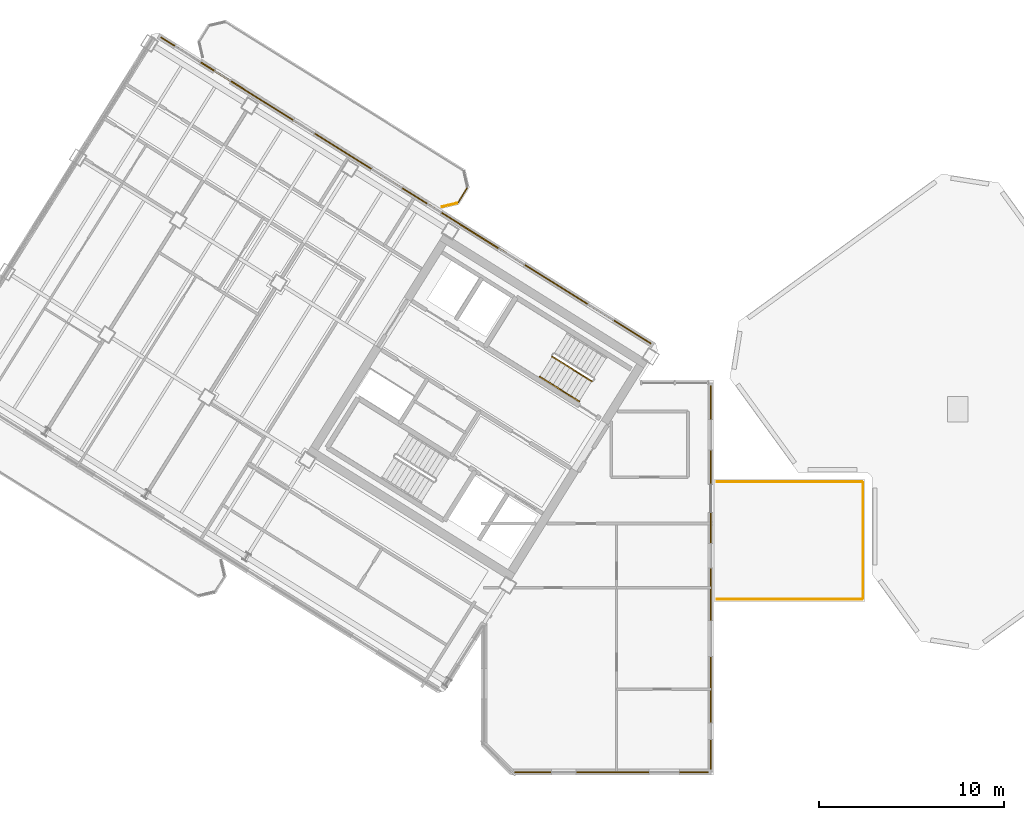
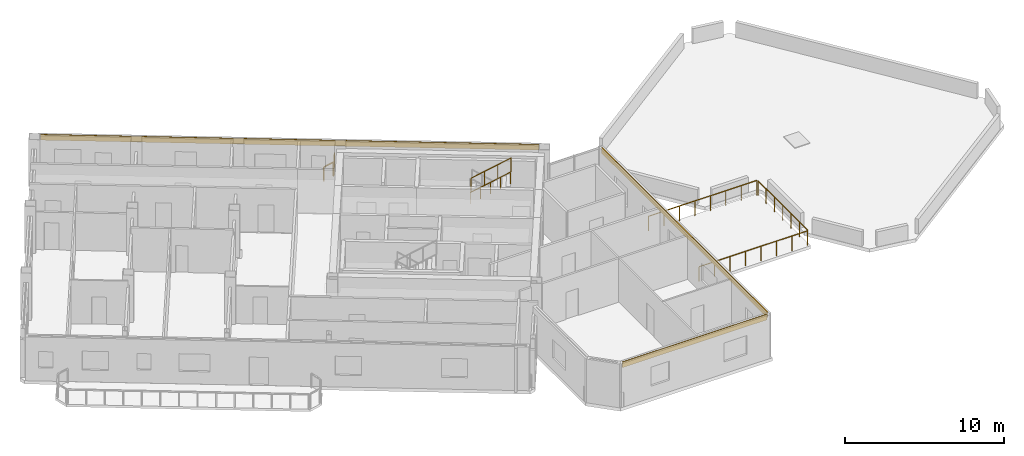
# One storey, part 13 of 14: 8 railings, 3 coverings.
"""IFC4 building model written with IfcOpenShell, lengths in metres."""

import ifcopenshell
import ifcopenshell.guid

model = None  # the IFC model being written
_history = None  # IfcOwnerHistory: only IFC2X3 demands one
_inside = {}  # id of a spatial element -> (the spatial element, [elements in it])
_under = {}  # id of a project, library or spatial element -> (it, [spatial elements below it])
_declared = {}  # id of a project -> (the project, [libraries it declares])
_typed = {}  # id of a type object -> (the type object, [elements of that type])
_made_of = {}  # id of a material, layer set ... -> (it, [elements and type objects made of it])


def new_model(schema):
    """Start an empty IFC model of exactly this schema.

    Asked for "IFC4X3", IfcOpenShell would pick the latest addendum, in which some entities
    have other attributes; the version numbers below select the first issue.
    IFC2X3 requires an IfcOwnerHistory on every rooted entity: one is made here for all.
    """
    global model, _history
    if schema == "IFC4X3":
        model = ifcopenshell.file(schema_version=(4, 3, 0, 0))
    else:
        model = ifcopenshell.file(schema=schema)
    _inside.clear()
    _under.clear()
    _declared.clear()
    _typed.clear()
    _made_of.clear()
    _history = None
    if model.schema == "IFC2X3":
        org = make("IfcOrganization", Name="unknown")
        user = make(
            "IfcPersonAndOrganization",
            ThePerson=make("IfcPerson", FamilyName="unknown"),
            TheOrganization=org,
        )
        app = make(
            "IfcApplication",
            ApplicationDeveloper=org,
            Version="unknown",
            ApplicationFullName="unknown",
            ApplicationIdentifier="unknown",
        )
        _history = make(
            "IfcOwnerHistory",
            OwningUser=user,
            OwningApplication=app,
            ChangeAction="ADDED",
            CreationDate=0,
        )
    return model


def make(cls, **values):
    """One entity of the class cls with the attributes given. An attribute that is None is left unset."""
    return model.create_entity(
        cls, **{name: value for name, value in values.items() if value is not None}
    )


def rooted(cls, **values):
    """An entity with a GlobalId (a new one), such as an element, a storey or a relation."""
    return make(cls, GlobalId=ifcopenshell.guid.new(), OwnerHistory=_history, **values)


def si_unit(unit_type, name, prefix=None):
    """IfcSIUnit, for example si_unit("LENGTHUNIT", "METRE", prefix="MILLI")."""
    return make("IfcSIUnit", UnitType=unit_type, Prefix=prefix, Name=name)


def assignment(units):
    """IfcUnitAssignment: the units of a project."""
    return None if units is None else make("IfcUnitAssignment", Units=units)


def point(xyz):
    """IfcCartesianPoint."""
    return None if xyz is None else make("IfcCartesianPoint", Coordinates=xyz)


def direction(xyz):
    """IfcDirection."""
    return None if xyz is None else make("IfcDirection", DirectionRatios=xyz)


def frame(location, z_axis=None, x_axis=None):
    """IfcAxis2Placement3D, a coordinate frame: its origin and axes. An axis left out is left unset."""
    return make(
        "IfcAxis2Placement3D",
        Location=point(location),
        Axis=direction(z_axis),
        RefDirection=direction(x_axis),
    )


def frame_2d(location, x_axis=None):
    """IfcAxis2Placement2D, a coordinate frame in the plane: its origin and x axis."""
    return make(
        "IfcAxis2Placement2D", Location=point(location), RefDirection=direction(x_axis)
    )


def origin():
    """The frame at (0, 0, 0) with its axes left unset."""
    return frame((0.0, 0.0, 0.0))


def origin_2d():
    """The frame at (0, 0) in the plane with its x axis left unset."""
    return frame_2d((0.0, 0.0))


def place(relative_to, where):
    """IfcLocalPlacement: puts the frame where relative to a parent placement (None: the world)."""
    return make(
        "IfcLocalPlacement", PlacementRelTo=relative_to, RelativePlacement=where
    )


def context(
    kind, dimensions, precision=None, world=None, true_north=None, identifier=None
):
    """IfcGeometricRepresentationContext, for example the 3D "Model" context."""
    return make(
        "IfcGeometricRepresentationContext",
        ContextIdentifier=identifier,
        ContextType=kind,
        CoordinateSpaceDimension=dimensions,
        Precision=precision,
        WorldCoordinateSystem=world,
        TrueNorth=true_north,
    )


def subcontext(parent, identifier, kind, view, scale=None):
    """IfcGeometricRepresentationSubContext, for example "Body" below "Model"."""
    return make(
        "IfcGeometricRepresentationSubContext",
        ContextIdentifier=identifier,
        ContextType=kind,
        ParentContext=parent,
        TargetScale=scale,
        TargetView=view,
    )


def project(units=None, contexts=None):
    """IfcProject with its units and contexts."""
    return rooted(
        "IfcProject",
        Name="project",
        RepresentationContexts=contexts,
        UnitsInContext=assignment(units),
    )


def spatial(cls, under=None, at=None, **own):
    """A site, building, storey or space (cls), placed at a placement, below another one or the project."""
    s = rooted(cls, ObjectPlacement=at, **own)
    if under is not None:
        _under.setdefault(under.id(), (under, []))[1].append(s)
    return s


def profile(cls, at=None, kind="AREA", **sizes):
    """A parametric profile (cls). Its sizes go by their IFC names, for example OverallWidth=200.0."""
    return make(cls, ProfileType=kind, Position=at, **sizes)


def rectangle(**sizes):
    """IfcRectangleProfileDef."""
    return profile("IfcRectangleProfileDef", **sizes)


def extrude(swept, where, along, depth):
    """IfcExtrudedAreaSolid: the profile swept, set in the frame where, extruded along a direction by depth."""
    return make(
        "IfcExtrudedAreaSolid",
        SweptArea=swept,
        Position=where,
        ExtrudedDirection=direction(along),
        Depth=depth,
    )


def shape(context_of_items, identifier, shape_type, items):
    """IfcShapeRepresentation: the items that make up one representation, for example the "Body"."""
    return make(
        "IfcShapeRepresentation",
        ContextOfItems=context_of_items,
        RepresentationIdentifier=identifier,
        RepresentationType=shape_type,
        Items=items,
    )


def source(mapping_origin, context_of_items, identifier, shape_type, items):
    """IfcRepresentationMap: a shape defined once, which mapped items show again and again."""
    return make(
        "IfcRepresentationMap",
        MappingOrigin=mapping_origin,
        MappedRepresentation=shape(context_of_items, identifier, shape_type, items),
    )


def transform(
    local_origin,
    x_axis=None,
    y_axis=None,
    z_axis=None,
    scale=None,
    scale2=None,
    scale3=None,
    uniform=True,
):
    """IfcCartesianTransformationOperator3D, or its non-uniform kind. x_axis, y_axis, z_axis: its Axis1, 2, 3."""
    if uniform:
        return make(
            "IfcCartesianTransformationOperator3D",
            Axis1=direction(x_axis),
            Axis2=direction(y_axis),
            LocalOrigin=point(local_origin),
            Scale=scale,
            Axis3=direction(z_axis),
        )
    return make(
        "IfcCartesianTransformationOperator3DnonUniform",
        Axis1=direction(x_axis),
        Axis2=direction(y_axis),
        LocalOrigin=point(local_origin),
        Scale=scale,
        Axis3=direction(z_axis),
        Scale2=scale2,
        Scale3=scale3,
    )


def mapped(mapping_source, mapping_target):
    """IfcMappedItem: shows the shape of a source again, moved by a transform."""
    return make(
        "IfcMappedItem", MappingSource=mapping_source, MappingTarget=mapping_target
    )


def material(Name=None, Category=None):
    """IfcMaterial."""
    return make("IfcMaterial", Name=Name, Category=Category)


def layer(
    of_material, thickness, ventilated=None, Name=None, Category=None, Priority=None
):
    """IfcMaterialLayer: one layer of a wall or slab, of a material (None: an air gap)."""
    return make(
        "IfcMaterialLayer",
        Material=of_material,
        LayerThickness=thickness,
        IsVentilated=ventilated,
        Name=Name,
        Category=Category,
        Priority=Priority,
    )


def layer_set(layers, Name=None):
    """IfcMaterialLayerSet."""
    return make("IfcMaterialLayerSet", MaterialLayers=layers, LayerSetName=Name)


def made_of(thing, what):
    """Note that an element or type object is made of a material, layer set ...; save() writes the relation."""
    if what is not None:
        _made_of.setdefault(what.id(), (what, []))[1].append(thing)
    return thing


def type_object(cls, material=None, **own):
    """A type object (cls), such as IfcWallType, which elements share."""
    return made_of(rooted(cls, **own), material)


def element(
    cls,
    number,
    at=None,
    inside=None,
    cuts=None,
    type_object=None,
    material=None,
    context=None,
    identifier="Body",
    shape_type=None,
    held_by="IfcProductDefinitionShape",
    body=None,
    shapes=None,
    **own,
):
    """One element of the class cls, such as IfcWall. Its Tag is "e" and its number.

    at: its placement. inside: the storey or other place that contains it. cuts: it is an
    opening in that element (IfcRelVoidsElement). A single representation is given by context,
    identifier, shape_type and body (its items); several are given by shapes. held_by: the class
    of the entity that holds the representations. save() writes the other relations.
    """
    e = rooted(cls, Tag="e%d" % number, ObjectPlacement=at, **own)
    if body is not None:
        shapes = [shape(context, identifier, shape_type, body)]
    if shapes is not None:
        e.Representation = make(held_by, Representations=shapes)
    if inside is not None:
        _inside.setdefault(inside.id(), (inside, []))[1].append(e)
    if cuts is not None:
        rooted(
            "IfcRelVoidsElement", RelatingBuildingElement=cuts, RelatedOpeningElement=e
        )
    if type_object is not None:
        _typed.setdefault(type_object.id(), (type_object, []))[1].append(e)
    return made_of(e, material)


def aggregate(whole, parts):
    """IfcRelAggregates: a whole, such as a stair, and the parts it consists of."""
    return rooted("IfcRelAggregates", RelatingObject=whole, RelatedObjects=parts)


def save(model, path):
    """Write the relations noted so far, then the file.

    IfcRelAggregates (storeys below a building ...), IfcRelContainedInSpatialStructure (elements
    in a storey), IfcRelDefinesByType, IfcRelAssociatesMaterial and IfcRelDeclares: one each for
    every whole, place, type object, material and project.
    """
    for whole, parts in _under.values():
        aggregate(whole, parts)
    for where, things in _inside.values():
        rooted(
            "IfcRelContainedInSpatialStructure",
            RelatedElements=things,
            RelatingStructure=where,
        )
    for kind, things in _typed.values():
        rooted("IfcRelDefinesByType", RelatedObjects=things, RelatingType=kind)
    for what, things in _made_of.values():
        rooted("IfcRelAssociatesMaterial", RelatedObjects=things, RelatingMaterial=what)
    for by, libraries in _declared.values():
        rooted("IfcRelDeclares", RelatingContext=by, RelatedDefinitions=libraries)
    model.write(path)


model = new_model("IFC4")

# Units and contexts
model_context = context("Model", 3, precision=1e-05, world=origin(), true_north=direction((0.0, 1.0)))
body_context = subcontext(model_context, "Body", "Model", "MODEL_VIEW")
ifc_project = project(units=[si_unit("LENGTHUNIT", "METRE"), si_unit("AREAUNIT", "SQUARE_METRE"), si_unit("VOLUMEUNIT", "CUBIC_METRE"), si_unit("PLANEANGLEUNIT", "RADIAN"), si_unit("MASSUNIT", "GRAM", prefix="KILO")], contexts=[model_context])

# Site, building, storey
site_placement = place(None, origin())
site = spatial("IfcSite", under=ifc_project, at=site_placement, CompositionType="ELEMENT")
building_placement = place(site_placement, origin())
building = spatial("IfcBuilding", under=site, at=building_placement, Name="Tlacorven Tower", CompositionType="ELEMENT")
storey_placement = place(building_placement, frame((0.0, 0.0, 262.800048828125)))
storey = spatial("IfcBuildingStorey", under=building, at=storey_placement, Name="L66", CompositionType="ELEMENT", Elevation=262.800048828125)

# Railings
ifc_material_1 = material(Name="Aluminium and painted steel balustrade", Category="steel")
railing_type_1 = type_object("IfcRailingType", Name="RL-BAL-1100", PredefinedType="BALUSTRADE", material=ifc_material_1)
shared_shape_1 = source(origin(), body_context, "Body", "SweptSolid", [
    extrude(rectangle(XDim=0.048095703125, YDim=0.048095703125, at=origin_2d()), frame((0.0, 0.0, 1.076171875), z_axis=(-0.52987865805, -0.848073468364, 0.0), x_axis=(0.848073468364, -0.52987865805, 0.0)), (0.0, 0.0, 1.0), 0.912353515625),
    extrude(rectangle(XDim=0.0419921875, YDim=0.0419921875, at=origin_2d()), origin(), (0.0, 0.0, 1.0), 1.052001953125),
    extrude(rectangle(XDim=0.0419921875, YDim=0.0419921875, at=origin_2d()), frame((-0.4833984375, -0.773681640625, 0.0)), (0.0, 0.0, 1.0), 1.052001953125),
])
railing_1_placement = place(storey_placement, frame((30.845947265625, 33.588623046875, 0.0)))
element("IfcRailing", 1, at=railing_1_placement, inside=storey, type_object=railing_type_1, Name="BAL-L66-W-IN Guard Railing 2", PredefinedType="BALUSTRADE", context=body_context, shape_type="MappedRepresentation", body=[
    mapped(shared_shape_1, transform((0.0, 0.0, 0.0), scale=1.0)),
])
shared_shape_2 = source(origin(), body_context, "Body", "SweptSolid", [
    extrude(rectangle(XDim=0.048095703125, YDim=0.048095703125, at=origin_2d()), frame((0.0, 0.0, 1.076171875), z_axis=(-0.974345290916, -0.225058334816, 0.0), x_axis=(0.225058334816, -0.974345290916, 0.0)), (0.0, 0.0, 1.0), 0.80712890625),
    extrude(rectangle(XDim=0.0419921875, YDim=0.0419921875, at=origin_2d()), origin(), (0.0, 0.0, 1.0), 1.052001953125),
    extrude(rectangle(XDim=0.0419921875, YDim=0.0419921875, at=origin_2d()), frame((-0.786376953125, -0.181640625, 0.0)), (0.0, 0.0, 1.0), 1.052001953125),
])
railing_2_placement = place(storey_placement, frame((30.287353515625, 32.761474609375, 0.0)))
element("IfcRailing", 2, at=railing_2_placement, inside=storey, type_object=railing_type_1, Name="BAL-L66-W-IN Guard Railing 3", PredefinedType="BALUSTRADE", context=body_context, shape_type="MappedRepresentation", body=[
    mapped(shared_shape_2, transform((0.0, 0.0, 0.0), scale=1.0)),
])

# Covering
ifc_material_2 = material(Name="Precast concrete C45/55", Category="concrete")
ifc_layer = layer(ifc_material_2, 0.06005859375)
ifc_layer_set = layer_set([ifc_layer], Name="Precast concrete C45/55")
covering_type = type_object("IfcCoveringType", Name="CV-CLD-TERC", PredefinedType="CLADDING", material=ifc_layer_set)
shared_shape_3 = source(origin(), body_context, "Body", "SweptSolid", [
    extrude(rectangle(XDim=31.287353515625, YDim=0.06005859375, at=origin_2d()), origin(), (0.0, 0.0, 1.0), 0.419921875),
])
covering_1_placement = place(storey_placement, frame((27.5322265625, 33.455810546875, 2.929931640625), z_axis=(0.0, 0.0, 1.0), x_axis=(0.84804812172, -0.529919223323, 0.0)))
element("IfcCovering", 3, at=covering_1_placement, inside=storey, type_object=covering_type, Name="L66 Masonry-Frame Spandrel Cladding 8", PredefinedType="CLADDING", context=body_context, shape_type="MappedRepresentation", body=[
    mapped(shared_shape_3, transform((0.0, 0.0, 0.0), scale=1.0)),
])

# Railings
railing_type_2 = type_object("IfcRailingType", Name="RL-GRD-1150", PredefinedType="GUARDRAIL", material=ifc_material_1)
shared_shape_4 = source(origin(), body_context, "Body", "SweptSolid", [
    extrude(rectangle(XDim=0.048095703125, YDim=0.048095703125, at=origin_2d()), frame((0.0, 0.0, 1.1259765625), z_axis=(1.0, 0.0, 0.0), x_axis=(0.0, 1.0, 0.0)), (0.0, 0.0, 1.0), 7.840087890625),
    extrude(rectangle(XDim=0.0419921875, YDim=0.0419921875, at=origin_2d()), origin(), (0.0, 0.0, 1.0), 1.101806640625),
    extrude(rectangle(XDim=0.0419921875, YDim=0.0419921875, at=origin_2d()), frame((1.1201171875, 0.0, 0.0)), (0.0, 0.0, 1.0), 1.101806640625),
    extrude(rectangle(XDim=0.0419921875, YDim=0.0419921875, at=origin_2d()), frame((2.239990234375, 0.0, 0.0)), (0.0, 0.0, 1.0), 1.101806640625),
    extrude(rectangle(XDim=0.0419921875, YDim=0.0419921875, at=origin_2d()), frame((3.360107421875, 0.0, 0.0)), (0.0, 0.0, 1.0), 1.101806640625),
    extrude(rectangle(XDim=0.0419921875, YDim=0.0419921875, at=origin_2d()), frame((4.47998046875, 0.0, 0.0)), (0.0, 0.0, 1.0), 1.101806640625),
    extrude(rectangle(XDim=0.0419921875, YDim=0.0419921875, at=origin_2d()), frame((5.60009765625, 0.0, 0.0)), (0.0, 0.0, 1.0), 1.101806640625),
    extrude(rectangle(XDim=0.0419921875, YDim=0.0419921875, at=origin_2d()), frame((6.719970703125, 0.0, 0.0)), (0.0, 0.0, 1.0), 1.101806640625),
    extrude(rectangle(XDim=0.0419921875, YDim=0.0419921875, at=origin_2d()), frame((7.840087890625, 0.0, 0.0)), (0.0, 0.0, 1.0), 1.101806640625),
])
railing_3_placement = place(storey_placement, frame((44.389892578125, 17.679931640625, 0.0)))
element("IfcRailing", 4, at=railing_3_placement, inside=storey, type_object=railing_type_2, Name="L66 East Terrace Guard 1", PredefinedType="GUARDRAIL", context=body_context, shape_type="MappedRepresentation", body=[
    mapped(shared_shape_4, transform((0.0, 0.0, 0.0), scale=1.0)),
])
shared_shape_5 = source(origin(), body_context, "Body", "SweptSolid", [
    extrude(rectangle(XDim=0.048095703125, YDim=0.048095703125, at=origin_2d()), frame((0.0, 0.0, 1.1259765625), z_axis=(0.0, -1.0, 0.0), x_axis=(1.0, 0.0, 0.0)), (0.0, 0.0, 1.0), 6.259765625),
    extrude(rectangle(XDim=0.0419921875, YDim=0.0419921875, at=origin_2d()), origin(), (0.0, 0.0, 1.0), 1.101806640625),
    extrude(rectangle(XDim=0.0419921875, YDim=0.0419921875, at=origin_2d()), frame((0.0, -1.043212890625, 0.0)), (0.0, 0.0, 1.0), 1.101806640625),
    extrude(rectangle(XDim=0.0419921875, YDim=0.0419921875, at=origin_2d()), frame((0.0, -2.086669921875, 0.0)), (0.0, 0.0, 1.0), 1.101806640625),
    extrude(rectangle(XDim=0.0419921875, YDim=0.0419921875, at=origin_2d()), frame((0.0, -3.1298828125, 0.0)), (0.0, 0.0, 1.0), 1.101806640625),
    extrude(rectangle(XDim=0.0419921875, YDim=0.0419921875, at=origin_2d()), frame((0.0, -4.173095703125, 0.0)), (0.0, 0.0, 1.0), 1.101806640625),
    extrude(rectangle(XDim=0.0419921875, YDim=0.0419921875, at=origin_2d()), frame((0.0, -5.216552734375, 0.0)), (0.0, 0.0, 1.0), 1.101806640625),
    extrude(rectangle(XDim=0.0419921875, YDim=0.0419921875, at=origin_2d()), frame((0.0, -6.259765625, 0.0)), (0.0, 0.0, 1.0), 1.101806640625),
])
railing_4_placement = place(storey_placement, frame((52.280029296875, 17.6298828125, 0.0)))
element("IfcRailing", 5, at=railing_4_placement, inside=storey, type_object=railing_type_2, Name="L66 East Terrace Guard 2", PredefinedType="GUARDRAIL", context=body_context, shape_type="MappedRepresentation", body=[
    mapped(shared_shape_5, transform((0.0, 0.0, 0.0), scale=1.0)),
])
shared_shape_6 = source(origin(), body_context, "Body", "SweptSolid", [
    extrude(rectangle(XDim=0.048095703125, YDim=0.048095703125, at=origin_2d()), frame((0.0, 0.0, 1.1259765625), z_axis=(-1.0, 0.0, 0.0), x_axis=(0.0, -1.0, 0.0)), (0.0, 0.0, 1.0), 7.840087890625),
    extrude(rectangle(XDim=0.0419921875, YDim=0.0419921875, at=origin_2d()), origin(), (0.0, 0.0, 1.0), 1.101806640625),
    extrude(rectangle(XDim=0.0419921875, YDim=0.0419921875, at=origin_2d()), frame((-1.1201171875, 0.0, 0.0)), (0.0, 0.0, 1.0), 1.101806640625),
    extrude(rectangle(XDim=0.0419921875, YDim=0.0419921875, at=origin_2d()), frame((-2.239990234375, 0.0, 0.0)), (0.0, 0.0, 1.0), 1.101806640625),
    extrude(rectangle(XDim=0.0419921875, YDim=0.0419921875, at=origin_2d()), frame((-3.360107421875, 0.0, 0.0)), (0.0, 0.0, 1.0), 1.101806640625),
    extrude(rectangle(XDim=0.0419921875, YDim=0.0419921875, at=origin_2d()), frame((-4.47998046875, 0.0, 0.0)), (0.0, 0.0, 1.0), 1.101806640625),
    extrude(rectangle(XDim=0.0419921875, YDim=0.0419921875, at=origin_2d()), frame((-5.60009765625, 0.0, 0.0)), (0.0, 0.0, 1.0), 1.101806640625),
    extrude(rectangle(XDim=0.0419921875, YDim=0.0419921875, at=origin_2d()), frame((-6.719970703125, 0.0, 0.0)), (0.0, 0.0, 1.0), 1.101806640625),
    extrude(rectangle(XDim=0.0419921875, YDim=0.0419921875, at=origin_2d()), frame((-7.840087890625, 0.0, 0.0)), (0.0, 0.0, 1.0), 1.101806640625),
])
railing_5_placement = place(storey_placement, frame((52.22998046875, 11.320068359375, 0.0)))
element("IfcRailing", 6, at=railing_5_placement, inside=storey, type_object=railing_type_2, Name="L66 East Terrace Guard 3", PredefinedType="GUARDRAIL", context=body_context, shape_type="MappedRepresentation", body=[
    mapped(shared_shape_6, transform((0.0, 0.0, 0.0), scale=1.0)),
])

# Coverings
shared_shape_7 = source(origin(), body_context, "Body", "SweptSolid", [
    extrude(rectangle(XDim=20.780029296875, YDim=0.06005859375, at=origin_2d()), origin(), (0.0, 0.0, 1.0), 0.419921875),
])
covering_2_placement = place(storey_placement, frame((44.0400390625, 12.5, 2.929931640625), z_axis=(0.0, 0.0, 1.0), x_axis=(0.0, -1.0, 0.0)))
element("IfcCovering", 7, at=covering_2_placement, inside=storey, type_object=covering_type, Name="L66 Masonry-Frame Spandrel Cladding 1", PredefinedType="CLADDING", context=body_context, shape_type="MappedRepresentation", body=[
    mapped(shared_shape_7, transform((0.0, 0.0, 0.0), scale=1.0)),
])
shared_shape_8 = source(origin(), body_context, "Body", "SweptSolid", [
    extrude(rectangle(XDim=10.4736328125, YDim=0.06005859375, at=origin_2d()), origin(), (0.0, 0.0, 1.0), 0.419921875),
])
covering_3_placement = place(storey_placement, frame((38.653076171875, 1.9599609375, 2.929931640625), z_axis=(0.0, 0.0, 1.0), x_axis=(-1.0, 0.0, 0.0)))
element("IfcCovering", 8, at=covering_3_placement, inside=storey, type_object=covering_type, Name="L66 Masonry-Frame Spandrel Cladding 2", PredefinedType="CLADDING", context=body_context, shape_type="MappedRepresentation", body=[
    mapped(shared_shape_8, transform((0.0, 0.0, 0.0), scale=1.0)),
])

# Railings
railing_type_3 = type_object("IfcRailingType", Name="RL-HND-0900", PredefinedType="HANDRAIL", material=ifc_material_1)
shared_shape_9 = source(origin(), body_context, "Body", "SweptSolid", [
    extrude(rectangle(XDim=0.048095703125, YDim=0.048095703125, at=origin_2d()), frame((0.0, 0.0, 0.8759765625), z_axis=(0.713359751793, -0.4457479829, 0.540764828981), x_axis=(0.529911857636, 0.848052724267, 0.0)), (0.0, 0.0, 1.0), 1.498046875),
    extrude(rectangle(XDim=0.0419921875, YDim=0.0419921875, at=origin_2d()), origin(), (0.0, 0.0, 1.0), 0.851806640625),
    extrude(rectangle(XDim=0.0419921875, YDim=0.0419921875, at=origin_2d()), frame((0.5341796875, -0.333984375, 0.405029296875)), (0.0, 0.0, 1.0), 0.851806640625),
    extrude(rectangle(XDim=0.0419921875, YDim=0.0419921875, at=origin_2d()), frame((1.068603515625, -0.667724609375, 0.81005859375)), (0.0, 0.0, 1.0), 0.851806640625),
])
railing_6_placement = place(storey_placement, frame((34.7802734375, 23.372802734375, 1.97998046875)))
element("IfcRailing", 9, at=railing_6_placement, inside=storey, type_object=railing_type_3, Name="L66 ST-W2 stair handrail 3", PredefinedType="HANDRAIL", context=body_context, shape_type="MappedRepresentation", body=[
    mapped(shared_shape_9, transform((0.0, 0.0, 0.0), scale=1.0)),
])
shared_shape_10 = source(origin(), body_context, "Body", "SweptSolid", [
    extrude(rectangle(XDim=0.048095703125, YDim=0.048095703125, at=origin_2d()), frame((0.0, 0.0, 0.8759765625), z_axis=(0.713422621445, -0.445787267455, 0.540649494022), x_axis=(0.529911857636, 0.848052724267, 0.0)), (0.0, 0.0, 1.0), 1.497802734375),
    extrude(rectangle(XDim=0.0419921875, YDim=0.0419921875, at=origin_2d()), origin(), (0.0, 0.0, 1.0), 0.851806640625),
    extrude(rectangle(XDim=0.0419921875, YDim=0.0419921875, at=origin_2d()), frame((0.5341796875, -0.333984375, 0.40478515625)), (0.0, 0.0, 1.0), 0.851806640625),
    extrude(rectangle(XDim=0.0419921875, YDim=0.0419921875, at=origin_2d()), frame((1.068603515625, -0.667724609375, 0.809814453125)), (0.0, 0.0, 1.0), 0.851806640625),
])
railing_7_placement = place(storey_placement, frame((35.848876953125, 22.705078125, 2.7900390625)))
element("IfcRailing", 10, at=railing_7_placement, inside=storey, type_object=railing_type_3, Name="L66 ST-W2 stair handrail 4", PredefinedType="HANDRAIL", context=body_context, shape_type="MappedRepresentation", body=[
    mapped(shared_shape_10, transform((0.0, 0.0, 0.0), scale=1.0)),
])
railing_type_4 = type_object("IfcRailingType", Name="RL-GRD-1100", PredefinedType="GUARDRAIL", material=ifc_material_1)
shared_shape_11 = source(origin(), body_context, "Body", "SweptSolid", [
    extrude(rectangle(XDim=0.048095703125, YDim=0.048095703125, at=origin_2d()), frame((0.0, 0.0, 1.076171875), z_axis=(0.713417101326, -0.445702322042, 0.540726806865), x_axis=(0.52984217967, 0.848096259066, 0.0)), (0.0, 0.0, 1.0), 2.995849609375),
    extrude(rectangle(XDim=0.0419921875, YDim=0.0419921875, at=origin_2d()), origin(), (0.0, 0.0, 1.0), 1.052001953125),
    extrude(rectangle(XDim=0.0419921875, YDim=0.0419921875, at=origin_2d()), frame((0.71240234375, -0.445068359375, 0.5400390625)), (0.0, 0.0, 1.0), 1.052001953125),
    extrude(rectangle(XDim=0.0419921875, YDim=0.0419921875, at=origin_2d()), frame((1.4248046875, -0.89013671875, 1.079833984375)), (0.0, 0.0, 1.0), 1.052001953125),
    extrude(rectangle(XDim=0.0419921875, YDim=0.0419921875, at=origin_2d()), frame((2.13720703125, -1.335205078125, 1.619873046875)), (0.0, 0.0, 1.0), 1.052001953125),
])
railing_8_placement = place(storey_placement, frame((35.45849609375, 24.458251953125, 1.97998046875)))
element("IfcRailing", 11, at=railing_8_placement, inside=storey, type_object=railing_type_4, Name="L66 ST-W2 stair guard 3", PredefinedType="GUARDRAIL", context=body_context, shape_type="MappedRepresentation", body=[
    mapped(shared_shape_11, transform((0.0, 0.0, 0.0), scale=1.0)),
])

save(model, "model.ifc")
